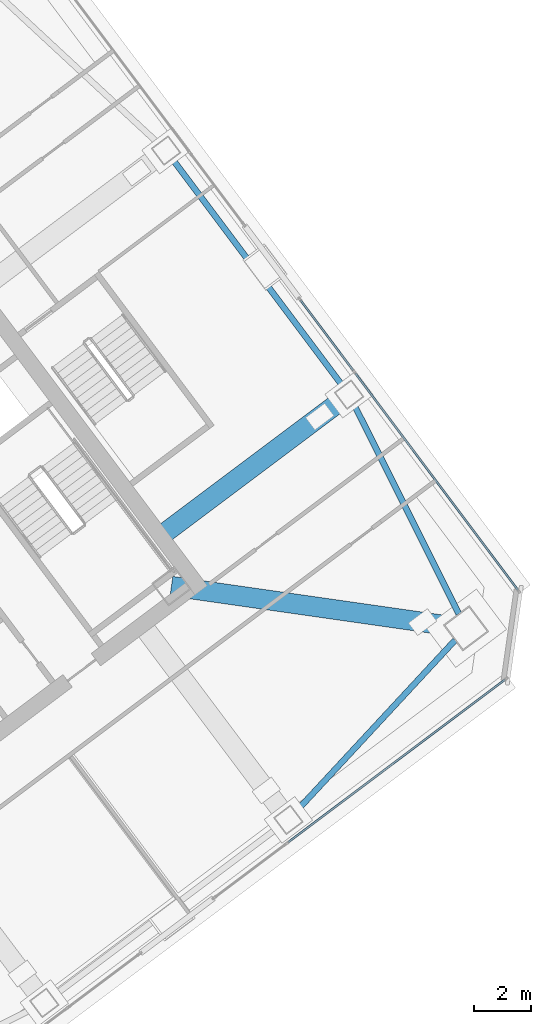
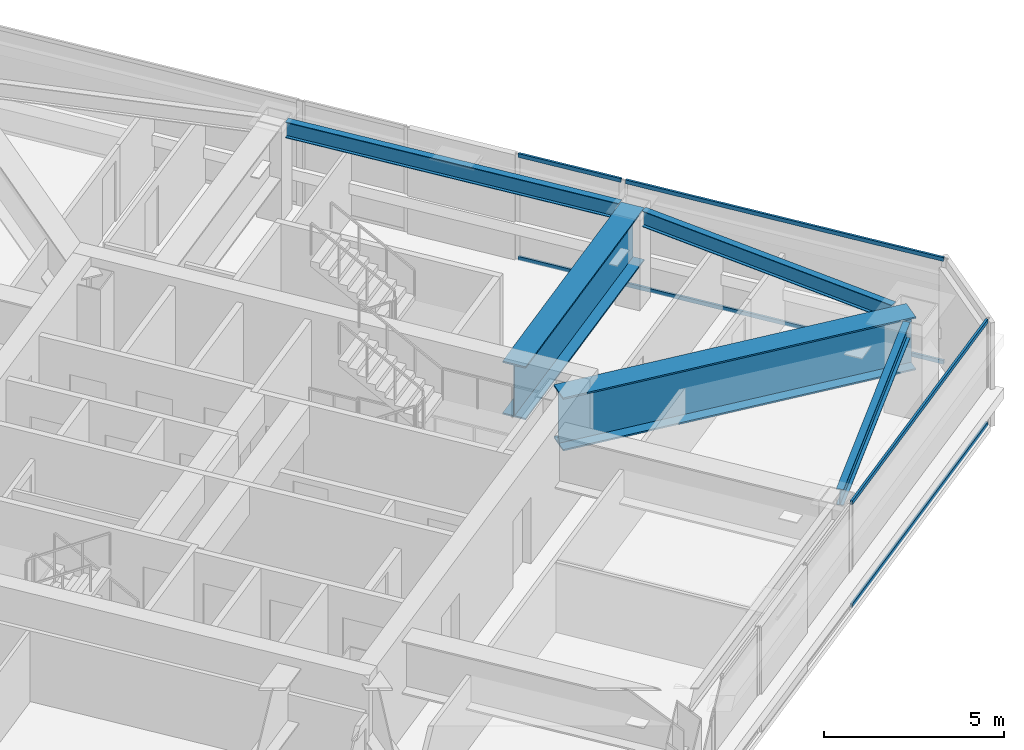
# One storey, part 25 of 42: 6 members, 5 beams, 3 elements without a shape of their own.
"""IFC4 building model written with IfcOpenShell, lengths in metres."""

from ifc_helpers import new_model, si_unit, direction, frame, origin, origin_2d, place, context, subcontext, project, spatial, hollow_rectangle, i_section, extrude, material, material_profile, profile_set, type_object, element, aggregate, save


model = new_model("IFC4")

# Units and contexts
model_context = context("Model", 3, precision=1e-05, world=origin(), true_north=direction((0.0, 1.0)))
body_context = subcontext(model_context, "Body", "Model", "MODEL_VIEW")
ifc_project = project(units=[si_unit("LENGTHUNIT", "METRE"), si_unit("AREAUNIT", "SQUARE_METRE"), si_unit("VOLUMEUNIT", "CUBIC_METRE"), si_unit("PLANEANGLEUNIT", "RADIAN"), si_unit("MASSUNIT", "GRAM", prefix="KILO")], contexts=[model_context])

# Site, building, storey
site_placement = place(None, origin())
site = spatial("IfcSite", under=ifc_project, at=site_placement, CompositionType="ELEMENT")
building_placement = place(site_placement, origin())
building = spatial("IfcBuilding", under=site, at=building_placement, Name="Tashvorn Skyway Center", CompositionType="ELEMENT")
storey_placement = place(building_placement, frame((0.0, 0.0, 196.050048828125)))
storey = spatial("IfcBuildingStorey", under=building, at=storey_placement, Name="L53", CompositionType="ELEMENT", Elevation=196.050048828125)

# Beams
ifc_material_1 = material(Name="Steel ASTM A572 Grade 50", Category="steel")
ifc_material_profile_1 = material_profile(ifc_material_1, i_section(OverallWidth=0.699951171875, OverallDepth=1.800048828125, WebThickness=0.031982421875, FlangeThickness=0.050048828125, at=origin_2d()), Name="PG1800x700")
ifc_profile_set_1 = profile_set([ifc_material_profile_1], Name="Steel ASTM A572 Grade 50")
beam_type_1 = type_object("IfcBeamType", Name="BM-BEAM-PG1800x700", PredefinedType="BEAM", material=ifc_profile_set_1)
beam_1_placement = place(storey_placement, frame((134.300048828125, 29.10009765625, 2.349853515625), z_axis=(-0.989949493661, 0.141421356237, 0.0), x_axis=(-0.141421356237, -0.989949493661, 0.0)))
element("IfcBeam", 1, at=beam_1_placement, inside=storey, type_object=beam_type_1, Name="Tower 2 L53 Setback Transfer Girder MC-SE", PredefinedType="BEAM", context=body_context, shape_type="SweptSolid", body=[
    extrude(i_section(OverallWidth=0.699951171875, OverallDepth=1.800048828125, WebThickness=0.031982421875, FlangeThickness=0.050048828125, at=origin_2d()), origin(), (0.0, 0.0, 1.0), 10.535888671875),
])
beam_2_placement = place(storey_placement, frame((130.159912109375, 37.3701171875, 2.349853515625), z_axis=(-0.799978998092, -0.600028001523, 0.0), x_axis=(0.600028001523, -0.799978998092, 0.0)))
element("IfcBeam", 2, at=beam_2_placement, inside=storey, type_object=beam_type_1, Name="Tower 2 L53 Setback Transfer Girder FC-E1", PredefinedType="BEAM", context=body_context, shape_type="SweptSolid", body=[
    extrude(i_section(OverallWidth=0.699951171875, OverallDepth=1.800048828125, WebThickness=0.031982421875, FlangeThickness=0.050048828125, at=origin_2d()), origin(), (0.0, 0.0, 1.0), 8.369873046875),
])
ifc_material_2 = material(Name="Steel ASTM A992 Grade 50", Category="steel")
ifc_material_profile_2 = material_profile(ifc_material_2, i_section(OverallWidth=0.2109375, OverallDepth=0.5390625, WebThickness=0.01171875, FlangeThickness=0.018798828125, at=origin_2d()), Name="W21X73")
ifc_profile_set_2 = profile_set([ifc_material_profile_2], Name="Steel ASTM A992 Grade 50")
beam_type_2 = type_object("IfcBeamType", Name="BM-SPANDREL-W21X73", PredefinedType="SPANDREL", material=ifc_profile_set_2)
for number, where, z_axis, x_axis, name in (
    (3, (128.26171875, 22.59130859375, 2.98046875), (0.680119661736, 0.733101115618, 0.0), (-0.733101115618, 0.680119661736, 0.0), "Tower 2 L53 Spandrel Beam 03"),
    (4, (134.044921875, 29.609619140625, 2.98046875), (-0.447648438059, 0.894209637559, 0.0), (-0.894209637559, -0.447648438059, 0.0), "Tower 2 L53 Spandrel Beam 04"),
):
    element("IfcBeam", number, at=place(storey_placement, frame(where, z_axis=z_axis, x_axis=x_axis)), inside=storey, type_object=beam_type_2, Name=name, PredefinedType="SPANDREL", context=body_context, shape_type="SweptSolid", body=[
        extrude(i_section(OverallWidth=0.2109375, OverallDepth=0.5390625, WebThickness=0.01171875, FlangeThickness=0.018798828125, at=origin_2d()), origin(), (0.0, 0.0, 1.0), 8.308349609375),
    ])
beam_3_placement = place(storey_placement, frame((129.93798828125, 37.666015625, 2.98046875), z_axis=(-0.599988351091, 0.800008736549, 0.0), x_axis=(-0.800008736549, -0.599988351091, 0.0)))
element("IfcBeam", 5, at=beam_3_placement, inside=storey, type_object=beam_type_2, Name="Tower 2 L53 Spandrel Beam 05", PredefinedType="SPANDREL", context=body_context, shape_type="SweptSolid", body=[
    extrude(i_section(OverallWidth=0.2109375, OverallDepth=0.5390625, WebThickness=0.01171875, FlangeThickness=0.018798828125, at=origin_2d()), origin(), (0.0, 0.0, 1.0), 10.06005859375),
])

# Curtain wall, members
ifc_material_3 = material(Name="Thermally broken bronze-anodized aluminium 6063-T6", Category="aluminium")
curtain_wall_type = type_object("IfcCurtainWallType", Name="CW-CW-Z4", PredefinedType="NOTDEFINED", material=ifc_material_3)
curtain_wall_1_placement = place(storey_placement, origin())
curtain_wall_1 = element("IfcCurtainWall", 6, at=curtain_wall_1_placement, inside=storey, type_object=curtain_wall_type, Name="Tower 2 L53 South Unitised Curtain Wall Glazing Group 1", PredefinedType="NOTDEFINED")
ifc_material_profile_3 = material_profile(ifc_material_3, hollow_rectangle(XDim=0.070068359375, YDim=0.1298828125, WallThickness=0.00390625, at=origin_2d()), Name="ALU-TRAN-70x130")
ifc_profile_set_3 = profile_set([ifc_material_profile_3], Name="Thermally broken bronze-anodized aluminium 6063-T6")
member_type = type_object("IfcMemberType", Name="CWT-CW-Z4", PredefinedType="USERDEFINED", material=ifc_profile_set_3)
member_1_placement = place(storey_placement, frame((135.676025390625, 27.281982421875, 0.034912109375), z_axis=(-0.8, -0.6, 0.0), x_axis=(0.6, -0.8, 0.0)))
member_1 = element("IfcMember", 7, at=member_1_placement, type_object=member_type, Name="CW-Z4 transom 1.1", ObjectType="TRANSOM", PredefinedType="USERDEFINED", context=body_context, shape_type="SweptSolid", body=[
    extrude(hollow_rectangle(XDim=0.070068359375, YDim=0.1298828125, WallThickness=0.00390625, at=origin_2d()), origin(), (0.0, 0.0, 1.0), 9.580078125),
])
member_2_placement = place(storey_placement, frame((135.676025390625, 27.281982421875, 3.514892578125), z_axis=(-0.8, -0.6, 0.0), x_axis=(0.6, -0.8, 0.0)))
member_2 = element("IfcMember", 8, at=member_2_placement, type_object=member_type, Name="CW-Z4 transom 1.2", ObjectType="TRANSOM", PredefinedType="USERDEFINED", context=body_context, shape_type="SweptSolid", body=[
    extrude(hollow_rectangle(XDim=0.070068359375, YDim=0.1298828125, WallThickness=0.00390625, at=origin_2d()), origin(), (0.0, 0.0, 1.0), 9.580078125),
])
aggregate(curtain_wall_1, [member_1, member_2])

curtain_wall_2_placement = place(storey_placement, origin())
curtain_wall_2 = element("IfcCurtainWall", 9, at=curtain_wall_2_placement, inside=storey, type_object=curtain_wall_type, Name="Tower 2 L53 East Unitised Curtain Wall Glazing Group 3", PredefinedType="NOTDEFINED")
member_3_placement = place(storey_placement, frame((128.43798828125, 40.716064453125, 0.034912109375), z_axis=(0.600025200918, -0.799981098691, 0.0), x_axis=(0.799981098691, 0.600025200918, 0.0)))
member_3 = element("IfcMember", 10, at=member_3_placement, type_object=member_type, Name="CW-Z4 transom 1.1", ObjectType="TRANSOM", PredefinedType="USERDEFINED", context=body_context, shape_type="SweptSolid", body=[
    extrude(hollow_rectangle(XDim=0.070068359375, YDim=0.1298828125, WallThickness=0.00390625, at=origin_2d()), origin(), (0.0, 0.0, 1.0), 3.10009765625),
])
member_4_placement = place(storey_placement, frame((128.43798828125, 40.716064453125, 3.514892578125), z_axis=(0.600025200918, -0.799981098691, 0.0), x_axis=(0.799981098691, 0.600025200918, 0.0)))
member_4 = element("IfcMember", 11, at=member_4_placement, type_object=member_type, Name="CW-Z4 transom 1.2", ObjectType="TRANSOM", PredefinedType="USERDEFINED", context=body_context, shape_type="SweptSolid", body=[
    extrude(hollow_rectangle(XDim=0.070068359375, YDim=0.1298828125, WallThickness=0.00390625, at=origin_2d()), origin(), (0.0, 0.0, 1.0), 3.10009765625),
])
aggregate(curtain_wall_2, [member_3, member_4])

curtain_wall_3_placement = place(storey_placement, origin())
curtain_wall_3 = element("IfcCurtainWall", 12, at=curtain_wall_3_placement, inside=storey, type_object=curtain_wall_type, Name="Tower 2 L53 East Unitised Curtain Wall Glazing Group 4", PredefinedType="NOTDEFINED")
member_5_placement = place(storey_placement, frame((130.382080078125, 38.1240234375, 0.034912109375), z_axis=(0.599983689738, -0.800012232437, 0.0), x_axis=(0.800012232437, 0.599983689738, 0.0)))
member_5 = element("IfcMember", 13, at=member_5_placement, type_object=member_type, Name="CW-Z4 transom 1.1", ObjectType="TRANSOM", PredefinedType="USERDEFINED", context=body_context, shape_type="SweptSolid", body=[
    extrude(hollow_rectangle(XDim=0.070068359375, YDim=0.1298828125, WallThickness=0.00390625, at=origin_2d()), origin(), (0.0, 0.0, 1.0), 9.579833984375),
])
member_6_placement = place(storey_placement, frame((130.382080078125, 38.1240234375, 3.514892578125), z_axis=(0.599983689738, -0.800012232437, 0.0), x_axis=(0.800012232437, 0.599983689738, 0.0)))
member_6 = element("IfcMember", 14, at=member_6_placement, type_object=member_type, Name="CW-Z4 transom 1.2", ObjectType="TRANSOM", PredefinedType="USERDEFINED", context=body_context, shape_type="SweptSolid", body=[
    extrude(hollow_rectangle(XDim=0.070068359375, YDim=0.1298828125, WallThickness=0.00390625, at=origin_2d()), origin(), (0.0, 0.0, 1.0), 9.579833984375),
])
aggregate(curtain_wall_3, [member_5, member_6])

save(model, "model.ifc")
